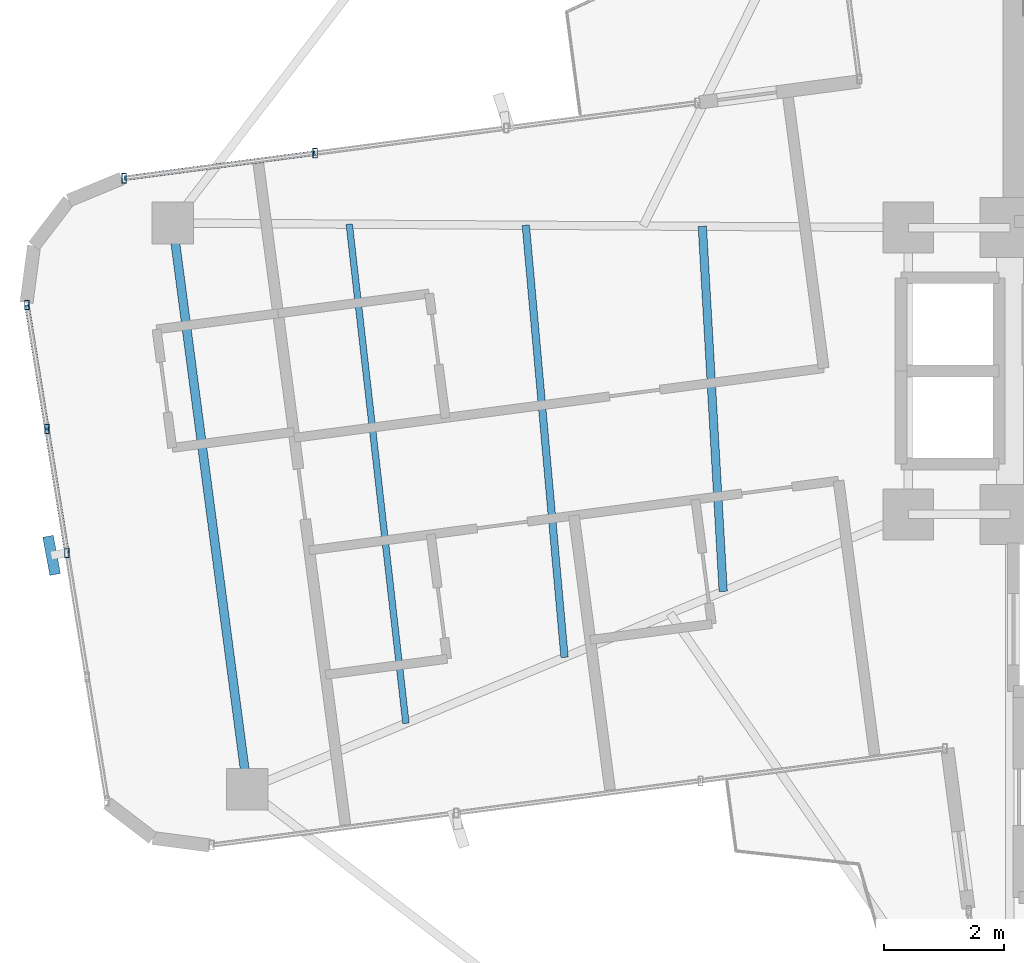
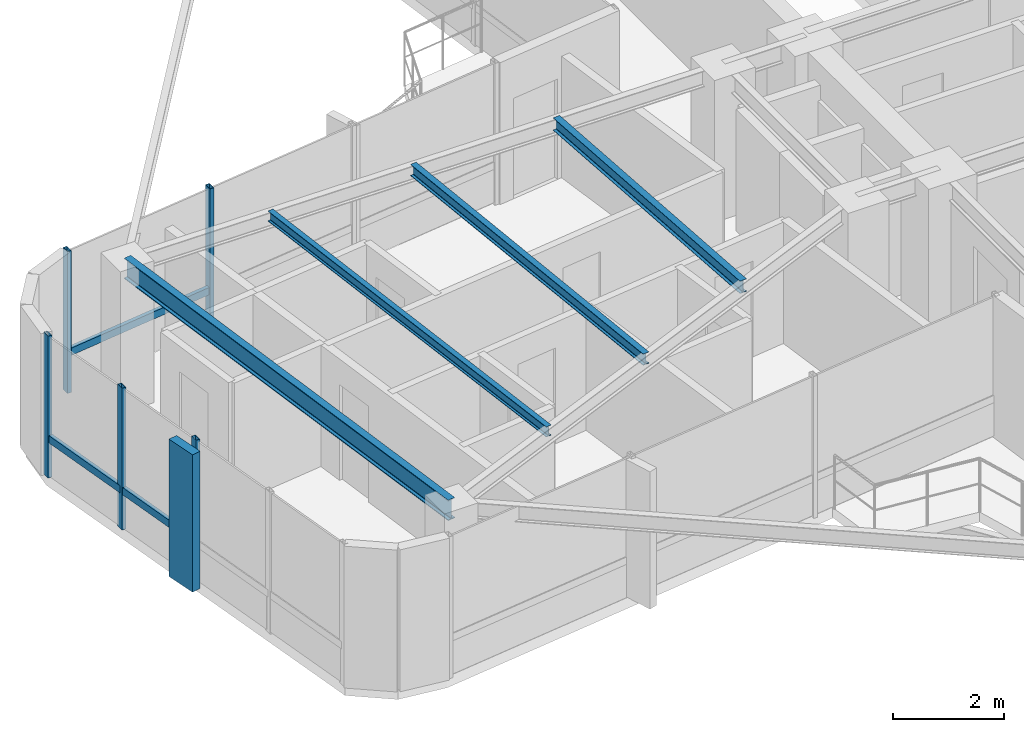
# One storey, part 7 of 22: 9 members, 4 beams, 2 elements without a shape of their own.
"""IFC4 building model written with IfcOpenShell, lengths in metres."""

from ifc_helpers import new_model, si_unit, direction, frame, origin, origin_2d, place, context, subcontext, project, spatial, rectangle, hollow_rectangle, i_section, extrude, source, transform, mapped, material, material_profile, profile_set, type_object, element, aggregate, save


model = new_model("IFC4")

# Units and contexts
model_context = context("Model", 3, precision=1e-05, world=origin(), true_north=direction((0.0, 1.0)))
body_context = subcontext(model_context, "Body", "Model", "MODEL_VIEW")
ifc_project = project(units=[si_unit("LENGTHUNIT", "METRE"), si_unit("AREAUNIT", "SQUARE_METRE"), si_unit("VOLUMEUNIT", "CUBIC_METRE"), si_unit("PLANEANGLEUNIT", "RADIAN"), si_unit("MASSUNIT", "GRAM", prefix="KILO")], contexts=[model_context])

# Site, building, storey
site_placement = place(None, origin())
site = spatial("IfcSite", under=ifc_project, at=site_placement, CompositionType="ELEMENT")
building_placement = place(site_placement, origin())
building = spatial("IfcBuilding", under=site, at=building_placement, Name="Sahyath Konkavel Grand Hotel", CompositionType="ELEMENT")
storey_placement = place(building_placement, frame((0.0, 0.0, 234.449951171875)))
storey = spatial("IfcBuildingStorey", under=building, at=storey_placement, Name="L65", CompositionType="ELEMENT", Elevation=234.449951171875)

# Beams
ifc_material_1 = material(Name="Steel E350", Category="steel")
ifc_material_profile_1 = material_profile(ifc_material_1, i_section(OverallWidth=0.14990234375, OverallDepth=0.449951171875, WebThickness=0.009521484375, FlangeThickness=0.017333984375, FilletRadius=0.014892578125, at=origin_2d()), Name="ISMB 450")
ifc_profile_set_1 = profile_set([ifc_material_profile_1], Name="Steel E350")
beam_type_1 = type_object("IfcBeamType", Name="BM-ISMB450", PredefinedType="BEAM", material=ifc_profile_set_1)
shared_shape_1 = source(origin(), body_context, "Body", "SweptSolid", [
    extrude(i_section(OverallWidth=0.14990234375, OverallDepth=0.449951171875, WebThickness=0.009521484375, FlangeThickness=0.017333984375, FilletRadius=0.014892578125, at=origin_2d()), origin(), (0.0, 0.0, 1.0), 9.557861328125),
])
beam_1_placement = place(storey_placement, frame((-17.80859375, 2.4755859375, 2.885009765625), z_axis=(0.130552303677, -0.991441423385, 0.0), x_axis=(0.991441423385, 0.130552303677, 0.0)))
element("IfcBeam", 1, at=beam_1_placement, inside=storey, type_object=beam_type_1, Name="L65 Wing Tip Edge Beam W", PredefinedType="BEAM", context=body_context, shape_type="MappedRepresentation", body=[
    mapped(shared_shape_1, transform((0.0, 0.0, 0.0), scale=1.0)),
])
ifc_material_profile_2 = material_profile(ifc_material_1, i_section(OverallWidth=0.139892578125, OverallDepth=0.27490234375, WebThickness=0.00634765625, FlangeThickness=0.0087890625, FilletRadius=0.012939453125, at=origin_2d()), Name="ISLB 275")
ifc_profile_set_2 = profile_set([ifc_material_profile_2], Name="Steel E350")
beam_type_2 = type_object("IfcBeamType", Name="BM-ISLB275", PredefinedType="BEAM", material=ifc_profile_set_2)
shared_shape_2 = source(origin(), body_context, "Body", "SweptSolid", [
    extrude(i_section(OverallWidth=0.139892578125, OverallDepth=0.27490234375, WebThickness=0.00634765625, FlangeThickness=0.0087890625, FilletRadius=0.012939453125, at=origin_2d()), origin(), (0.0, 0.0, 1.0), 6.119140625),
])
beam_2_placement = place(storey_placement, frame((-8.9462890625, 2.421142578125, 2.97265625), z_axis=(0.057054335484, -0.998371074702, 0.0), x_axis=(0.998371074702, 0.057054335484, 0.0)))
element("IfcBeam", 2, at=beam_2_placement, inside=storey, type_object=beam_type_2, Name="L65 Secondary Floor Beam W-1", PredefinedType="BEAM", context=body_context, shape_type="MappedRepresentation", body=[
    mapped(shared_shape_2, transform((0.0, 0.0, 0.0), scale=1.0)),
])
ifc_material_profile_3 = material_profile(ifc_material_1, i_section(OverallWidth=0.125, OverallDepth=0.25, WebThickness=0.0068359375, FlangeThickness=0.012451171875, FilletRadius=0.012939453125, at=origin_2d()), Name="ISMB 250")
ifc_profile_set_3 = profile_set([ifc_material_profile_3], Name="Steel E350")
beam_type_3 = type_object("IfcBeamType", Name="BM-ISMB250", PredefinedType="BEAM", material=ifc_profile_set_3)
shared_shape_3 = source(origin(), body_context, "Body", "SweptSolid", [
    extrude(i_section(OverallWidth=0.125, OverallDepth=0.25, WebThickness=0.0068359375, FlangeThickness=0.012451171875, FilletRadius=0.012939453125, at=origin_2d()), origin(), (0.0, 0.0, 1.0), 7.2607421875),
])
beam_3_placement = place(storey_placement, frame((-11.900390625, 2.439453125, 2.985107421875), z_axis=(0.089341172622, -0.996001081764, 0.0), x_axis=(0.996001081764, 0.089341172622, 0.0)))
element("IfcBeam", 3, at=beam_3_placement, inside=storey, type_object=beam_type_3, Name="L65 Secondary Floor Beam W-2", PredefinedType="BEAM", context=body_context, shape_type="MappedRepresentation", body=[
    mapped(shared_shape_3, transform((0.0, 0.0, 0.0), scale=1.0)),
])
ifc_material_profile_4 = material_profile(ifc_material_1, i_section(OverallWidth=0.110107421875, OverallDepth=0.22509765625, WebThickness=0.006591796875, FlangeThickness=0.01171875, FilletRadius=0.011962890625, at=origin_2d()), Name="ISMB 225")
ifc_profile_set_4 = profile_set([ifc_material_profile_4], Name="Steel E350")
beam_type_4 = type_object("IfcBeamType", Name="BM-ISMB225", PredefinedType="BEAM", material=ifc_profile_set_4)
shared_shape_4 = source(origin(), body_context, "Body", "SweptSolid", [
    extrude(i_section(OverallWidth=0.110107421875, OverallDepth=0.22509765625, WebThickness=0.006591796875, FlangeThickness=0.01171875, FilletRadius=0.011962890625, at=origin_2d()), origin(), (0.0, 0.0, 1.0), 8.40771484375),
])
beam_4_placement = place(storey_placement, frame((-14.8544921875, 2.45751953125, 2.99755859375), z_axis=(0.112783288507, -0.99361961023, 0.0), x_axis=(0.99361961023, 0.112783288507, 0.0)))
element("IfcBeam", 4, at=beam_4_placement, inside=storey, type_object=beam_type_4, Name="L65 Secondary Floor Beam W-3", PredefinedType="BEAM", context=body_context, shape_type="MappedRepresentation", body=[
    mapped(shared_shape_4, transform((0.0, 0.0, 0.0), scale=1.0)),
])

# Curtain wall, member
ifc_material_2 = material(Name="Anodised Bronze Aluminium & Low-E Glazing", Category="aluminium")
curtain_wall_type = type_object("IfcCurtainWallType", Name="CW-ZONE4", PredefinedType="NOTDEFINED", material=ifc_material_2)
curtain_wall_1_placement = place(storey_placement, origin())
curtain_wall_1 = element("IfcCurtainWall", 5, at=curtain_wall_1_placement, inside=storey, type_object=curtain_wall_type, Name="L65 Unitised Curtain Wall F20", PredefinedType="NOTDEFINED")
ifc_material_3 = material(Name="Warm Buff Sandstone Cladding on Concrete C50/60", Category="masonry")
ifc_material_profile_5 = material_profile(ifc_material_3, rectangle(XDim=0.179931640625, YDim=0.64990234375, at=origin_2d()), Name="FIN 180x650")
ifc_profile_set_5 = profile_set([ifc_material_profile_5], Name="Warm Buff Sandstone Cladding on Concrete C50/60")
member_type_1 = type_object("IfcMemberType", Name="FIN-SANDSTONE-650", PredefinedType="MULLION", material=ifc_profile_set_5)
shared_shape_5 = source(origin(), body_context, "Body", "SweptSolid", [
    extrude(rectangle(XDim=0.179931640625, YDim=0.64990234375, at=origin_2d()), origin(), (0.0, 0.0, 1.0), 3.010009765625),
])
member_1_placement = place(storey_placement, frame((-19.8359375, -3.085693359375, 0.050048828125), z_axis=(0.0, 0.0, 1.0), x_axis=(0.982999500399, 0.183608230249, 0.0)))
member_1 = element("IfcMember", 6, at=member_1_placement, type_object=member_type_1, Name="L65 Sandstone Vertical Solar Fin FIN F20-2", PredefinedType="MULLION", context=body_context, shape_type="MappedRepresentation", body=[
    mapped(shared_shape_5, transform((0.0, 0.0, 0.0), scale=1.0)),
])

# Curtain wall, members
curtain_wall_2_placement = place(storey_placement, origin())
curtain_wall_2 = element("IfcCurtainWall", 7, at=curtain_wall_2_placement, inside=storey, type_object=curtain_wall_type, Name="L65 Unitised Curtain Wall F16", PredefinedType="NOTDEFINED")
ifc_material_4 = material(Name="Anodised Bronze Aluminium", Category="aluminium")
ifc_material_profile_6 = material_profile(ifc_material_4, hollow_rectangle(XDim=0.080078125, YDim=0.159912109375, WallThickness=0.006103515625, at=origin_2d()), Name="RHS 160x80x6")
ifc_profile_set_6 = profile_set([ifc_material_profile_6], Name="Anodised Bronze Aluminium")
member_type_2 = type_object("IfcMemberType", Name="CW-MUL-160", PredefinedType="MULLION", material=ifc_profile_set_6)
shared_shape_6 = source(origin(), body_context, "Body", "SweptSolid", [
    extrude(hollow_rectangle(XDim=0.080078125, YDim=0.159912109375, WallThickness=0.006103515625, at=origin_2d()), origin(), (0.0, 0.0, 1.0), 3.110107421875),
])
member_2_placement = place(storey_placement, frame((-15.42626953125, 3.646484375, 0.0), z_axis=(0.0, 0.0, 1.0), x_axis=(1.0, 0.0, 0.0)))
member_2 = element("IfcMember", 8, at=member_2_placement, type_object=member_type_2, Name="L65 Curtain Wall Mullion F16-2", PredefinedType="MULLION", context=body_context, shape_type="MappedRepresentation", body=[
    mapped(shared_shape_6, transform((0.0, 0.0, 0.0), scale=1.0)),
])
member_3_placement = place(storey_placement, frame((-18.623291015625, 3.2255859375, 0.0), z_axis=(0.0, 0.0, 1.0), x_axis=(1.0, 0.0, 0.0)))
member_3 = element("IfcMember", 9, at=member_3_placement, type_object=member_type_2, Name="L65 Curtain Wall Mullion F16-3", PredefinedType="MULLION", context=body_context, shape_type="MappedRepresentation", body=[
    mapped(shared_shape_6, transform((0.0, 0.0, 0.0), scale=1.0)),
])

# Member
member_4_placement = place(storey_placement, frame((-20.249267578125, 1.10546875, 0.0), z_axis=(0.0, 0.0, 1.0), x_axis=(1.0, 0.0, 0.0)))
member_4 = element("IfcMember", 10, at=member_4_placement, type_object=member_type_2, Name="L65 Curtain Wall Mullion F20-0", PredefinedType="MULLION", context=body_context, shape_type="MappedRepresentation", body=[
    mapped(shared_shape_6, transform((0.0, 0.0, 0.0), scale=1.0)),
])

member_5_placement = place(storey_placement, frame((-19.914306640625, -0.969482421875, 0.0), z_axis=(0.0, 0.0, 1.0), x_axis=(1.0, 0.0, 0.0)))
member_5 = element("IfcMember", 11, at=member_5_placement, type_object=member_type_2, Name="L65 Curtain Wall Mullion F20-1", PredefinedType="MULLION", context=body_context, shape_type="MappedRepresentation", body=[
    mapped(shared_shape_6, transform((0.0, 0.0, 0.0), scale=1.0)),
])

member_6_placement = place(storey_placement, frame((-19.5791015625, -3.044189453125, 0.0), z_axis=(0.0, 0.0, 1.0), x_axis=(1.0, 0.0, 0.0)))
member_6 = element("IfcMember", 12, at=member_6_placement, type_object=member_type_2, Name="L65 Curtain Wall Mullion F20-2", PredefinedType="MULLION", context=body_context, shape_type="MappedRepresentation", body=[
    mapped(shared_shape_6, transform((0.0, 0.0, 0.0), scale=1.0)),
])

ifc_material_profile_7 = material_profile(ifc_material_4, hollow_rectangle(XDim=0.080078125, YDim=0.159912109375, WallThickness=0.006103515625, at=origin_2d()), Name="RHS 160x80x6")
ifc_profile_set_7 = profile_set([ifc_material_profile_7], Name="Anodised Bronze Aluminium")
member_type_3 = type_object("IfcMemberType", Name="CW-TRN-160", PredefinedType="USERDEFINED", material=ifc_profile_set_7)
shared_shape_7 = source(origin(), body_context, "Body", "SweptSolid", [
    extrude(hollow_rectangle(XDim=0.080078125, YDim=0.159912109375, WallThickness=0.006103515625, at=origin_2d()), origin(), (0.0, 0.0, 1.0), 3.224609375),
])
member_7_placement = place(storey_placement, frame((-15.42626953125, 3.646484375, 0.85009765625), z_axis=(-0.991444758064, -0.13052697693, 0.0), x_axis=(0.13052697693, -0.991444758064, 0.0)))
member_7 = element("IfcMember", 13, at=member_7_placement, type_object=member_type_3, Name="L65 Curtain Wall Transom F16-2-spandrel", ObjectType="TRANSOM", PredefinedType="USERDEFINED", context=body_context, shape_type="MappedRepresentation", body=[
    mapped(shared_shape_7, transform((0.0, 0.0, 0.0), scale=1.0)),
])

aggregate(curtain_wall_2, [member_2, member_3, member_7])

shared_shape_8 = source(origin(), body_context, "Body", "SweptSolid", [
    extrude(hollow_rectangle(XDim=0.080078125, YDim=0.159912109375, WallThickness=0.006103515625, at=origin_2d()), origin(), (0.0, 0.0, 1.0), 2.101806640625),
])
member_8_placement = place(storey_placement, frame((-20.249267578125, 1.10546875, 0.85009765625), z_axis=(0.159367561279, -0.987219317281, 0.0), x_axis=(0.987219317281, 0.159367561279, 0.0)))
member_8 = element("IfcMember", 14, at=member_8_placement, type_object=member_type_3, Name="L65 Curtain Wall Transom F20-0-spandrel", ObjectType="TRANSOM", PredefinedType="USERDEFINED", context=body_context, shape_type="MappedRepresentation", body=[
    mapped(shared_shape_8, transform((0.0, 0.0, 0.0), scale=1.0)),
])

shared_shape_9 = source(origin(), body_context, "Body", "SweptSolid", [
    extrude(hollow_rectangle(XDim=0.080078125, YDim=0.159912109375, WallThickness=0.006103515625, at=origin_2d()), origin(), (0.0, 0.0, 1.0), 2.1015625),
])
member_9_placement = place(storey_placement, frame((-19.914306640625, -0.969482421875, 0.85009765625), z_axis=(0.159499054547, -0.987198081237, 0.0), x_axis=(0.987198081237, 0.159499054547, 0.0)))
member_9 = element("IfcMember", 15, at=member_9_placement, type_object=member_type_3, Name="L65 Curtain Wall Transom F20-1-spandrel", ObjectType="TRANSOM", PredefinedType="USERDEFINED", context=body_context, shape_type="MappedRepresentation", body=[
    mapped(shared_shape_9, transform((0.0, 0.0, 0.0), scale=1.0)),
])

aggregate(curtain_wall_1, [member_4, member_5, member_6, member_1, member_8, member_9])

save(model, "model.ifc")
